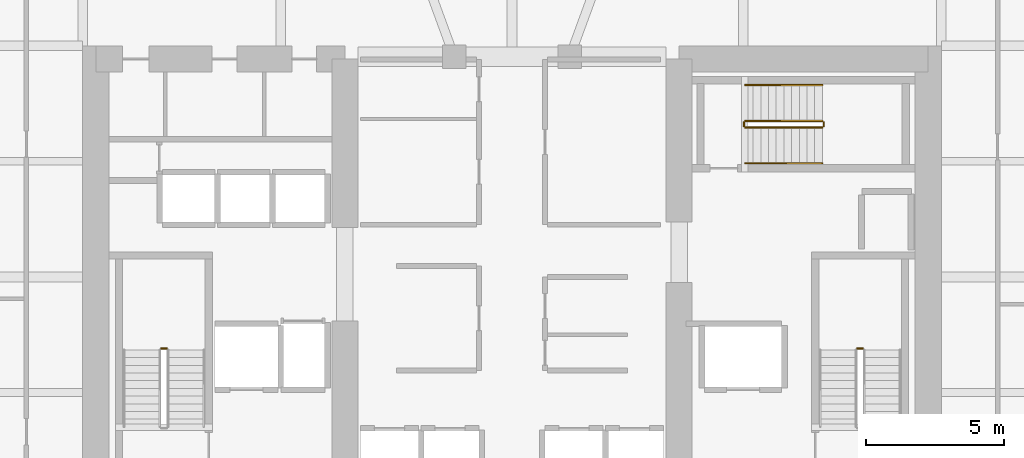
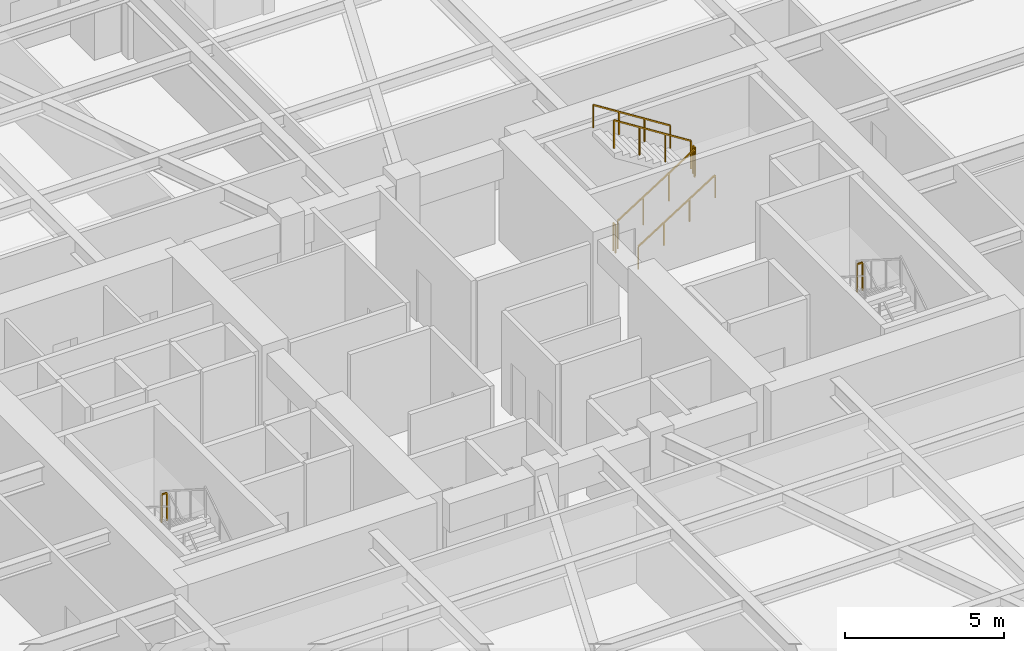
# One storey, part 37 of 38: 8 railings.
"""IFC4 building model written with IfcOpenShell, lengths in metres."""

from ifc_helpers import new_model, si_unit, direction, frame, origin, origin_2d, place, context, subcontext, project, spatial, rectangle, extrude, material, type_object, element, save


model = new_model("IFC4")

# Units and contexts
model_context = context("Model", 3, precision=1e-05, world=origin(), true_north=direction((0.0, 1.0)))
body_context = subcontext(model_context, "Body", "Model", "MODEL_VIEW")
ifc_project = project(units=[si_unit("LENGTHUNIT", "METRE"), si_unit("AREAUNIT", "SQUARE_METRE"), si_unit("VOLUMEUNIT", "CUBIC_METRE"), si_unit("PLANEANGLEUNIT", "RADIAN"), si_unit("MASSUNIT", "GRAM", prefix="KILO")], contexts=[model_context])

# Site, building, storey
site_placement = place(None, origin())
site = spatial("IfcSite", under=ifc_project, at=site_placement, CompositionType="ELEMENT")
building_placement = place(site_placement, origin())
building = spatial("IfcBuilding", under=site, at=building_placement, Name="Kiyonajd Concourse Tower", CompositionType="ELEMENT")
storey_placement = place(building_placement, frame((0.0, 0.0, 21.60009765625)))
storey = spatial("IfcBuildingStorey", under=building, at=storey_placement, Name="L06", CompositionType="ELEMENT", Elevation=21.60009765625)

# Railings
ifc_material_1 = material(Name="Steel ASTM A500 Grade C", Category="steel")
railing_type_1 = type_object("IfcRailingType", Name="RL-GRD-STR", PredefinedType="GUARDRAIL", material=ifc_material_1)
for number, where, name in (
    (1, (35.449951171875, 33.39990234375, 1.949951171875), "L06 ST1 stair guard 2"),
    (2, (60.75, 33.39990234375, 1.949951171875), "L06 ST2 stair guard 2"),
):
    element("IfcRailing", number, at=place(storey_placement, frame(where)), inside=storey, type_object=railing_type_1, Name=name, PredefinedType="GUARDRAIL", context=body_context, shape_type="SweptSolid", body=[
        extrude(rectangle(XDim=0.048095703125, YDim=0.048095703125, at=origin_2d()), frame((0.0, 0.0, 1.076171875), z_axis=(-1.0, 0.0, 0.0), x_axis=(0.0, -1.0, 0.0)), (0.0, 0.0, 1.0), 0.199951171875),
        extrude(rectangle(XDim=0.0419921875, YDim=0.0419921875, at=origin_2d()), origin(), (0.0, 0.0, 1.0), 1.052001953125),
        extrude(rectangle(XDim=0.0419921875, YDim=0.0419921875, at=origin_2d()), frame((-0.199951171875, 0.0, 0.0)), (0.0, 0.0, 1.0), 1.052001953125),
    ])
railing_1_placement = place(storey_placement, frame((56.47998046875, 41.429931640625, 0.17724609375)))
element("IfcRailing", 3, at=railing_1_placement, inside=storey, type_object=railing_type_1, Name="L06 ST3 stair guard 1", PredefinedType="GUARDRAIL", context=body_context, shape_type="SweptSolid", body=[
    extrude(rectangle(XDim=0.048095703125, YDim=0.048095703125, at=origin_2d()), frame((0.0, 0.0, 1.076171875), z_axis=(0.844908973607, 0.0, 0.534910110503), x_axis=(0.0, 1.0, 0.0)), (0.0, 0.0, 1.0), 3.31396484375),
    extrude(rectangle(XDim=0.0419921875, YDim=0.0419921875, at=origin_2d()), origin(), (0.0, 0.0, 1.0), 1.052001953125),
    extrude(rectangle(XDim=0.0419921875, YDim=0.0419921875, at=origin_2d()), frame((0.933349609375, 0.0, 0.5908203125)), (0.0, 0.0, 1.0), 1.052001953125),
    extrude(rectangle(XDim=0.0419921875, YDim=0.0419921875, at=origin_2d()), frame((1.86669921875, 0.0, 1.181884765625)), (0.0, 0.0, 1.0), 1.052001953125),
    extrude(rectangle(XDim=0.0419921875, YDim=0.0419921875, at=origin_2d()), frame((2.800048828125, 0.0, 1.772705078125)), (0.0, 0.0, 1.0), 1.052001953125),
])
railing_2_placement = place(storey_placement, frame((59.330078125, 41.47998046875, 1.949951171875)))
element("IfcRailing", 4, at=railing_2_placement, inside=storey, type_object=railing_type_1, Name="L06 ST3 stair guard 2", PredefinedType="GUARDRAIL", context=body_context, shape_type="SweptSolid", body=[
    extrude(rectangle(XDim=0.048095703125, YDim=0.048095703125, at=origin_2d()), frame((0.0, 0.0, 1.076171875), z_axis=(0.0, 1.0, 0.0), x_axis=(-1.0, 0.0, 0.0)), (0.0, 0.0, 1.0), 0.14013671875),
    extrude(rectangle(XDim=0.0419921875, YDim=0.0419921875, at=origin_2d()), origin(), (0.0, 0.0, 1.0), 1.052001953125),
    extrude(rectangle(XDim=0.0419921875, YDim=0.0419921875, at=origin_2d()), frame((0.0, 0.14013671875, 0.0)), (0.0, 0.0, 1.0), 1.052001953125),
])
railing_3_placement = place(storey_placement, frame((59.280029296875, 41.669921875, 2.127197265625)))
element("IfcRailing", 5, at=railing_3_placement, inside=storey, type_object=railing_type_1, Name="L06 ST3 stair guard 3", PredefinedType="GUARDRAIL", context=body_context, shape_type="SweptSolid", body=[
    extrude(rectangle(XDim=0.048095703125, YDim=0.048095703125, at=origin_2d()), frame((0.0, 0.0, 1.076171875), z_axis=(-0.844908973607, 0.0, 0.534910110503), x_axis=(0.0, -1.0, 0.0)), (0.0, 0.0, 1.0), 3.31396484375),
    extrude(rectangle(XDim=0.0419921875, YDim=0.0419921875, at=origin_2d()), origin(), (0.0, 0.0, 1.0), 1.052001953125),
    extrude(rectangle(XDim=0.0419921875, YDim=0.0419921875, at=origin_2d()), frame((-0.933349609375, 0.0, 0.5908203125)), (0.0, 0.0, 1.0), 1.052001953125),
    extrude(rectangle(XDim=0.0419921875, YDim=0.0419921875, at=origin_2d()), frame((-1.86669921875, 0.0, 1.181884765625)), (0.0, 0.0, 1.0), 1.052001953125),
    extrude(rectangle(XDim=0.0419921875, YDim=0.0419921875, at=origin_2d()), frame((-2.800048828125, 0.0, 1.772705078125)), (0.0, 0.0, 1.0), 1.052001953125),
])
railing_4_placement = place(storey_placement, frame((56.429931640625, 41.47998046875, 0.0)))
element("IfcRailing", 6, at=railing_4_placement, inside=storey, type_object=railing_type_1, Name="L06 ST3 stair guard 4", PredefinedType="GUARDRAIL", context=body_context, shape_type="SweptSolid", body=[
    extrude(rectangle(XDim=0.048095703125, YDim=0.048095703125, at=origin_2d()), frame((0.0, 0.0, 1.076171875), z_axis=(0.0, 1.0, 0.0), x_axis=(-1.0, 0.0, 0.0)), (0.0, 0.0, 1.0), 0.14013671875),
    extrude(rectangle(XDim=0.0419921875, YDim=0.0419921875, at=origin_2d()), origin(), (0.0, 0.0, 1.0), 1.052001953125),
    extrude(rectangle(XDim=0.0419921875, YDim=0.0419921875, at=origin_2d()), frame((0.0, 0.14013671875, 0.0)), (0.0, 0.0, 1.0), 1.052001953125),
])
ifc_material_2 = material(Name="Brushed Stainless Steel Cab Assembly", Category="steel")
railing_type_2 = type_object("IfcRailingType", Name="RL-HND-900", PredefinedType="HANDRAIL", material=ifc_material_2)
railing_5_placement = place(storey_placement, frame((56.47998046875, 40.1298828125, 0.17724609375)))
element("IfcRailing", 7, at=railing_5_placement, inside=storey, type_object=railing_type_2, Name="L06 ST3 stair handrail 1", PredefinedType="HANDRAIL", context=body_context, shape_type="SweptSolid", body=[
    extrude(rectangle(XDim=0.048095703125, YDim=0.048095703125, at=origin_2d()), frame((0.0, 0.0, 0.8759765625), z_axis=(0.844908973607, 0.0, 0.534910110503), x_axis=(0.0, 1.0, 0.0)), (0.0, 0.0, 1.0), 3.31396484375),
    extrude(rectangle(XDim=0.0419921875, YDim=0.0419921875, at=origin_2d()), origin(), (0.0, 0.0, 1.0), 0.851806640625),
    extrude(rectangle(XDim=0.0419921875, YDim=0.0419921875, at=origin_2d()), frame((0.933349609375, 0.0, 0.5908203125)), (0.0, 0.0, 1.0), 0.851806640625),
    extrude(rectangle(XDim=0.0419921875, YDim=0.0419921875, at=origin_2d()), frame((1.86669921875, 0.0, 1.181884765625)), (0.0, 0.0, 1.0), 0.851806640625),
    extrude(rectangle(XDim=0.0419921875, YDim=0.0419921875, at=origin_2d()), frame((2.800048828125, 0.0, 1.772705078125)), (0.0, 0.0, 1.0), 0.851806640625),
])
railing_6_placement = place(storey_placement, frame((59.280029296875, 42.969970703125, 2.127197265625)))
element("IfcRailing", 8, at=railing_6_placement, inside=storey, type_object=railing_type_2, Name="L06 ST3 stair handrail 2", PredefinedType="HANDRAIL", context=body_context, shape_type="SweptSolid", body=[
    extrude(rectangle(XDim=0.048095703125, YDim=0.048095703125, at=origin_2d()), frame((0.0, 0.0, 0.8759765625), z_axis=(-0.844908973607, 0.0, 0.534910110503), x_axis=(0.0, -1.0, 0.0)), (0.0, 0.0, 1.0), 3.31396484375),
    extrude(rectangle(XDim=0.0419921875, YDim=0.0419921875, at=origin_2d()), origin(), (0.0, 0.0, 1.0), 0.851806640625),
    extrude(rectangle(XDim=0.0419921875, YDim=0.0419921875, at=origin_2d()), frame((-0.933349609375, 0.0, 0.5908203125)), (0.0, 0.0, 1.0), 0.851806640625),
    extrude(rectangle(XDim=0.0419921875, YDim=0.0419921875, at=origin_2d()), frame((-1.86669921875, 0.0, 1.181884765625)), (0.0, 0.0, 1.0), 0.851806640625),
    extrude(rectangle(XDim=0.0419921875, YDim=0.0419921875, at=origin_2d()), frame((-2.800048828125, 0.0, 1.772705078125)), (0.0, 0.0, 1.0), 0.851806640625),
])

save(model, "model.ifc")
